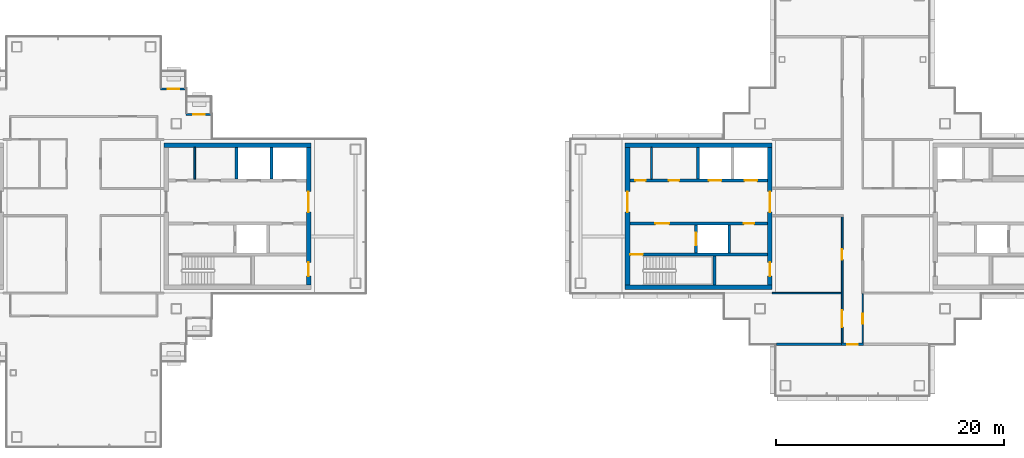
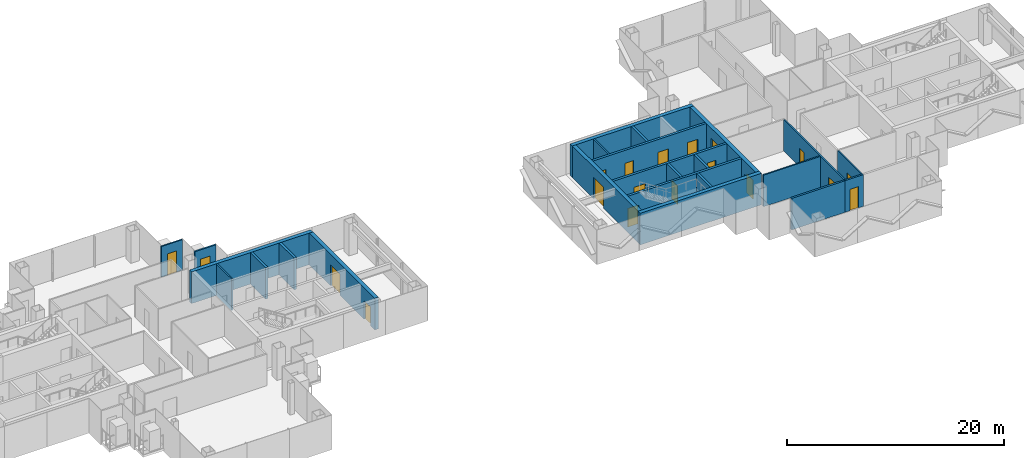
# One storey, part 11 of 17: 24 walls, 19 doors, 19 openings.
"""IFC4 building model written with IfcOpenShell, lengths in metres."""

from ifc_helpers import new_model, si_unit, direction, frame, frame_2d, origin, place, context, subcontext, project, spatial, rectangle, extrude, material, layer, layer_set, type_object, element, fill, save


model = new_model("IFC4")

# Units and contexts
model_context = context("Model", 3, precision=1e-05, world=origin(), true_north=direction((0.0, 1.0)))
body_context = subcontext(model_context, "Body", "Model", "MODEL_VIEW")
ifc_project = project(units=[si_unit("LENGTHUNIT", "METRE"), si_unit("AREAUNIT", "SQUARE_METRE"), si_unit("VOLUMEUNIT", "CUBIC_METRE"), si_unit("PLANEANGLEUNIT", "RADIAN"), si_unit("MASSUNIT", "GRAM", prefix="KILO")], contexts=[model_context])

# Site, building, storey
site_placement = place(None, origin())
site = spatial("IfcSite", under=ifc_project, at=site_placement, CompositionType="ELEMENT")
building_placement = place(site_placement, origin())
building = spatial("IfcBuilding", under=site, at=building_placement, Name="Shamsa Quay Exchange Towers", CompositionType="ELEMENT")
storey_placement = place(building_placement, frame((0.0, 0.0, 249.89990234375)))
storey = spatial("IfcBuildingStorey", under=building, at=storey_placement, Name="L60", CompositionType="ELEMENT", Elevation=249.89990234375)

# Wall, opening, door
ifc_material_1 = material(Name="Double-leaf gypsum board partition with acoustic insulation")
ifc_layer_1 = layer(ifc_material_1, 0.199951171875)
ifc_layer_set_1 = layer_set([ifc_layer_1], Name="Acoustic partition 200 mm EI 60")
wall_type_1 = type_object("IfcWallType", Name="Acoustic partition 200 mm EI 60", PredefinedType="PARTITIONING", material=ifc_layer_set_1)
wall_1_placement = place(storey_placement, frame((34.712890625, -11.25, 0.0), z_axis=(0.0, 0.0, 1.0), x_axis=(-1.0, 0.0, 0.0)))
wall_1 = element("IfcWall", 1, at=wall_1_placement, inside=storey, type_object=wall_type_1, Name="Partition T2-R27-W12", PredefinedType="PARTITIONING", context=body_context, shape_type="SweptSolid", body=[
    extrude(rectangle(XDim=1.938232421875, YDim=0.199951171875, at=frame_2d((0.96923828125, 0.0))), origin(), (0.0, 0.0, 1.0), 3.550048828125),
])
opening_1_placement = place(wall_1_placement, frame((0.512939453125, 0.0, 0.0)))
opening_1 = element("IfcOpeningElement", 2, at=opening_1_placement, cuts=wall_1, Name="Opening T2-R27-D07", PredefinedType="OPENING", context=body_context, shape_type="SweptSolid", body=[
    extrude(rectangle(XDim=0.89990234375, YDim=2.39990234375, at=frame_2d((0.449951171875, 1.199951171875))), frame((0.0, 0.10986328125, 0.0), z_axis=(0.0, -1.0, 0.0), x_axis=(1.0, 0.0, 0.0)), (0.0, 0.0, 1.0), 0.219970703125),
])
ifc_material_2 = material(Name="Timber door leaf in a metal frame", Category="wood")
door_type_1 = type_object("IfcDoorType", Name="Door 900x2400 FD30S", OperationType="NOTDEFINED", PredefinedType="DOOR", material=ifc_material_2)
door_1_placement = place(opening_1_placement, origin())
door_1 = element("IfcDoor", 3, at=door_1_placement, inside=storey, type_object=door_type_1, Name="Door T2-R27-D07", OperationType="SINGLE_SWING_RIGHT", OverallHeight=2.39990234375, OverallWidth=0.89990234375, PredefinedType="DOOR", context=body_context, shape_type="SweptSolid", body=[
    extrude(rectangle(XDim=0.89990234375, YDim=2.39990234375, at=frame_2d((0.449951171875, 1.199951171875))), frame((0.0, 0.02490234375, 0.0), z_axis=(0.0, -1.0, 0.0), x_axis=(1.0, 0.0, 0.0)), (0.0, 0.0, 1.0), 0.050048828125),
])
fill(opening_1, door_1)

# Wall
wall_2_placement = place(storey_placement, frame((27.094970703125, -11.25, 0.0)))
element("IfcWall", 4, at=wall_2_placement, inside=storey, type_object=wall_type_1, Name="Partition T2-R27-W21", PredefinedType="PARTITIONING", context=body_context, shape_type="SweptSolid", body=[
    extrude(rectangle(XDim=5.82958984375, YDim=0.199951171875, at=frame_2d((2.914794921875, 0.0))), origin(), (0.0, 0.0, 1.0), 3.550048828125),
])

# Wall, opening, door
ifc_material_3 = material(Name="Aluminium EN AW-6063 T6, black anodised, with black enamelled glass infill", Category="aluminium")
ifc_layer_2 = layer(ifc_material_3, 0.14990234375)
ifc_layer_set_2 = layer_set([ifc_layer_2], Name="BALCONY DOOR BAY WALL 150")
wall_type_2 = type_object("IfcWallType", Name="BALCONY DOOR BAY WALL 150", PredefinedType="SOLIDWALL", material=ifc_layer_set_2)
wall_3_placement = place(storey_placement, frame((-24.75, 8.925048828125, 0.0)))
wall_3 = element("IfcWall", 5, at=wall_3_placement, inside=storey, type_object=wall_type_2, Name="Door bay T1-PKEN L60", PredefinedType="SOLIDWALL", context=body_context, shape_type="SweptSolid", body=[
    extrude(rectangle(XDim=2.25, YDim=0.14990234375, at=frame_2d((1.125, 0.0))), origin(), (0.0, 0.0, 1.0), 3.4501953125),
])
opening_2_placement = place(wall_3_placement, frame((0.625, 0.0, 0.0)))
opening_2 = element("IfcOpeningElement", 6, at=opening_2_placement, cuts=wall_3, Name="Opening XD401", PredefinedType="OPENING", context=body_context, shape_type="SweptSolid", body=[
    extrude(rectangle(XDim=1.0, YDim=2.39990234375, at=frame_2d((0.5, 1.199951171875))), frame((0.0, 0.0849609375, 0.0), z_axis=(0.0, -1.0, 0.0), x_axis=(1.0, 0.0, 0.0)), (0.0, 0.0, 1.0), 0.169921875),
])
ifc_material_4 = material(Name="Aluminium EN AW-6063 T6, black anodised, with laminated glass leaf", Category="aluminium")
door_type_2 = type_object("IfcDoorType", Name="BALCONY DOOR 1000x2400", OperationType="SINGLE_SWING_LEFT", PredefinedType="DOOR", material=ifc_material_4)
door_2_placement = place(opening_2_placement, origin())
door_2 = element("IfcDoor", 7, at=door_2_placement, inside=storey, type_object=door_type_2, Name="Balcony door T1-PKEN L60", OperationType="SINGLE_SWING_RIGHT", OverallHeight=2.39990234375, OverallWidth=1.0, PredefinedType="DOOR", context=body_context, shape_type="SweptSolid", body=[
    extrude(rectangle(XDim=1.0, YDim=2.39990234375, at=frame_2d((0.5, 1.199951171875))), frame((0.0, 0.02490234375, 0.0), z_axis=(0.0, -1.0, 0.0), x_axis=(1.0, 0.0, 0.0)), (0.0, 0.0, 1.0), 0.050048828125),
])
fill(opening_2, door_2)

wall_4_placement = place(storey_placement, frame((-27.0, 11.175048828125, 0.0)))
wall_4 = element("IfcWall", 8, at=wall_4_placement, inside=storey, type_object=wall_type_2, Name="Door bay T1-PKEN L60", PredefinedType="SOLIDWALL", context=body_context, shape_type="SweptSolid", body=[
    extrude(rectangle(XDim=2.25, YDim=0.14990234375, at=frame_2d((1.125, 0.0))), origin(), (0.0, 0.0, 1.0), 3.4501953125),
])
opening_3_placement = place(wall_4_placement, frame((0.625, 0.0, 0.0)))
opening_3 = element("IfcOpeningElement", 9, at=opening_3_placement, cuts=wall_4, Name="Opening XD402", PredefinedType="OPENING", context=body_context, shape_type="SweptSolid", body=[
    extrude(rectangle(XDim=1.0, YDim=2.39990234375, at=frame_2d((0.5, 1.199951171875))), frame((0.0, 0.0849609375, 0.0), z_axis=(0.0, -1.0, 0.0), x_axis=(1.0, 0.0, 0.0)), (0.0, 0.0, 1.0), 0.169921875),
])
door_3_placement = place(opening_3_placement, origin())
door_3 = element("IfcDoor", 10, at=door_3_placement, inside=storey, type_object=door_type_2, Name="Balcony door T1-PKEN L60", OperationType="SINGLE_SWING_LEFT", OverallHeight=2.39990234375, OverallWidth=1.0, PredefinedType="DOOR", context=body_context, shape_type="SweptSolid", body=[
    extrude(rectangle(XDim=1.0, YDim=2.39990234375, at=frame_2d((0.5, 1.199951171875))), frame((0.0, 0.02490234375, 0.0), z_axis=(0.0, -1.0, 0.0), x_axis=(1.0, 0.0, 0.0)), (0.0, 0.0, 1.0), 0.050048828125),
])
fill(opening_3, door_3)

# Wall
ifc_material_5 = material(Name="Concrete C60/75", Category="concrete")
ifc_layer_3 = layer(ifc_material_5, 0.39990234375)
ifc_layer_set_3 = layer_set([ifc_layer_3], Name="CORE WALL 400 C60/75")
wall_type_3 = type_object("IfcWallType", Name="CORE WALL 400 C60/75", PredefinedType="SHEAR", material=ifc_layer_set_3)
wall_5_placement = place(storey_placement, frame((-26.699951171875, 6.25, 0.0)))
element("IfcWall", 11, at=wall_5_placement, inside=storey, type_object=wall_type_3, Name="Core wall T1A-R27-PN", PredefinedType="SHEAR", context=body_context, shape_type="SweptSolid", body=[
    extrude(rectangle(XDim=12.89990234375, YDim=0.39990234375, at=frame_2d((6.449951171875, 0.0))), origin(), (0.0, 0.0, 1.0), 3.550048828125),
])

# Wall, openings, doors
wall_6_placement = place(storey_placement, frame((-14.0, 6.050048828125, 0.0), z_axis=(0.0, 0.0, 1.0), x_axis=(0.0, -1.0, 0.0)))
wall_6 = element("IfcWall", 12, at=wall_6_placement, inside=storey, type_object=wall_type_3, Name="Core wall T1A-R27-PB", PredefinedType="SHEAR", context=body_context, shape_type="SweptSolid", body=[
    extrude(rectangle(XDim=12.10009765625, YDim=0.39990234375, at=frame_2d((6.050048828125, 0.0))), origin(), (0.0, 0.0, 1.0), 3.550048828125),
])
opening_4_placement = place(wall_6_placement, frame((10.10009765625, 0.0, 0.0)))
opening_4 = element("IfcOpeningElement", 13, at=opening_4_placement, cuts=wall_6, Name="Opening T1A-R27-RD02", PredefinedType="OPENING", context=body_context, shape_type="SweptSolid", body=[
    extrude(rectangle(XDim=1.199951171875, YDim=2.10009765625, at=frame_2d((0.60009765625, 1.050048828125))), frame((0.0, 0.2099609375, 0.0), z_axis=(0.0, -1.0, 0.0), x_axis=(1.0, 0.0, 0.0)), (0.0, 0.0, 1.0), 0.419921875),
])
opening_5_placement = place(wall_6_placement, frame((3.89990234375, 0.0, 0.0)))
opening_5 = element("IfcOpeningElement", 14, at=opening_5_placement, cuts=wall_6, Name="Opening T1A-R27-LBD03", PredefinedType="OPENING", context=body_context, shape_type="SweptSolid", body=[
    extrude(rectangle(XDim=1.800048828125, YDim=2.39990234375, at=frame_2d((0.89990234375, 1.199951171875))), frame((0.0, 0.2099609375, 0.0), z_axis=(0.0, -1.0, 0.0), x_axis=(1.0, 0.0, 0.0)), (0.0, 0.0, 1.0), 0.419921875),
])
ifc_material_6 = material(Name="Steel, fire rated", Category="steel")
door_type_3 = type_object("IfcDoorType", Name="LIFT LOBBY DOOR PAIR 1800", OperationType="DOUBLE_DOOR_SINGLE_SWING", PredefinedType="DOOR", material=ifc_material_6)
door_4_placement = place(opening_5_placement, origin())
door_4 = element("IfcDoor", 15, at=door_4_placement, inside=storey, type_object=door_type_3, Name="T1A-R27-LBD03", OperationType="DOUBLE_DOOR_SINGLE_SWING", OverallHeight=2.39990234375, OverallWidth=1.800048828125, PredefinedType="DOOR", context=body_context, shape_type="SweptSolid", body=[
    extrude(rectangle(XDim=1.800048828125, YDim=2.39990234375, at=frame_2d((0.89990234375, 1.199951171875))), frame((0.0, 0.02490234375, 0.0), z_axis=(0.0, -1.0, 0.0), x_axis=(1.0, 0.0, 0.0)), (0.0, 0.0, 1.0), 0.050048828125),
])
fill(opening_5, door_4)
door_type_4 = type_object("IfcDoorType", Name="RISER ACCESS DOOR 1200", OperationType="SINGLE_SWING_LEFT", PredefinedType="DOOR", material=ifc_material_6)
door_5_placement = place(opening_4_placement, origin())
door_5 = element("IfcDoor", 16, at=door_5_placement, inside=storey, type_object=door_type_4, Name="T1A-R27-RD02", OperationType="SINGLE_SWING_RIGHT", OverallHeight=2.10009765625, OverallWidth=1.199951171875, PredefinedType="DOOR", context=body_context, shape_type="SweptSolid", body=[
    extrude(rectangle(XDim=1.199951171875, YDim=2.10009765625, at=frame_2d((0.60009765625, 1.050048828125))), frame((0.0, 0.02490234375, 0.0), z_axis=(0.0, -1.0, 0.0), x_axis=(1.0, 0.0, 0.0)), (0.0, 0.0, 1.0), 0.050048828125),
])
fill(opening_4, door_5)

# Walls
for number, where, name in (
    (17, (13.800048828125, -6.25, 0.0), "Core wall T2A-R27-PS"),
    (18, (13.800048828125, 6.25, 0.0), "Core wall T2A-R27-PN"),
):
    element("IfcWall", number, at=place(storey_placement, frame(where)), inside=storey, type_object=wall_type_3, Name=name, PredefinedType="SHEAR", context=body_context, shape_type="SweptSolid", body=[
        extrude(rectangle(XDim=12.89990234375, YDim=0.39990234375, at=frame_2d((6.449951171875, 0.0))), origin(), (0.0, 0.0, 1.0), 3.550048828125),
    ])

# Wall, opening, door
wall_7_placement = place(storey_placement, frame((14.0, 6.050048828125, 0.0), z_axis=(0.0, 0.0, 1.0), x_axis=(0.0, -1.0, 0.0)))
wall_7 = element("IfcWall", 19, at=wall_7_placement, inside=storey, type_object=wall_type_3, Name="Core wall T2A-R27-PF", PredefinedType="SHEAR", context=body_context, shape_type="SweptSolid", body=[
    extrude(rectangle(XDim=12.10009765625, YDim=0.39990234375, at=frame_2d((6.050048828125, 0.0))), origin(), (0.0, 0.0, 1.0), 3.550048828125),
])
opening_6_placement = place(wall_7_placement, frame((3.89990234375, 0.0, 0.0)))
opening_6 = element("IfcOpeningElement", 20, at=opening_6_placement, cuts=wall_7, Name="Opening T2A-R27-LBD01", PredefinedType="OPENING", context=body_context, shape_type="SweptSolid", body=[
    extrude(rectangle(XDim=1.800048828125, YDim=2.39990234375, at=frame_2d((0.89990234375, 1.199951171875))), frame((0.0, 0.2099609375, 0.0), z_axis=(0.0, -1.0, 0.0), x_axis=(1.0, 0.0, 0.0)), (0.0, 0.0, 1.0), 0.419921875),
])
door_6_placement = place(opening_6_placement, origin())
door_6 = element("IfcDoor", 21, at=door_6_placement, inside=storey, type_object=door_type_3, Name="T2A-R27-LBD01", OperationType="DOUBLE_DOOR_SINGLE_SWING", OverallHeight=2.39990234375, OverallWidth=1.800048828125, PredefinedType="DOOR", context=body_context, shape_type="SweptSolid", body=[
    extrude(rectangle(XDim=1.800048828125, YDim=2.39990234375, at=frame_2d((0.89990234375, 1.199951171875))), frame((0.0, 0.02490234375, 0.0), z_axis=(0.0, -1.0, 0.0), x_axis=(1.0, 0.0, 0.0)), (0.0, 0.0, 1.0), 0.050048828125),
])
fill(opening_6, door_6)

# Wall, openings, doors
wall_8_placement = place(storey_placement, frame((26.5, 6.050048828125, 0.0), z_axis=(0.0, 0.0, 1.0), x_axis=(0.0, -1.0, 0.0)))
wall_8 = element("IfcWall", 22, at=wall_8_placement, inside=storey, type_object=wall_type_3, Name="Core wall T2A-R27-PB", PredefinedType="SHEAR", context=body_context, shape_type="SweptSolid", body=[
    extrude(rectangle(XDim=12.10009765625, YDim=0.39990234375, at=frame_2d((6.050048828125, 0.0))), origin(), (0.0, 0.0, 1.0), 3.550048828125),
])
opening_7_placement = place(wall_8_placement, frame((10.10009765625, 0.0, 0.0)))
opening_7 = element("IfcOpeningElement", 23, at=opening_7_placement, cuts=wall_8, Name="Opening T2A-R27-RD02", PredefinedType="OPENING", context=body_context, shape_type="SweptSolid", body=[
    extrude(rectangle(XDim=1.199951171875, YDim=2.10009765625, at=frame_2d((0.60009765625, 1.050048828125))), frame((0.0, 0.2099609375, 0.0), z_axis=(0.0, -1.0, 0.0), x_axis=(1.0, 0.0, 0.0)), (0.0, 0.0, 1.0), 0.419921875),
])
opening_8_placement = place(wall_8_placement, frame((3.89990234375, 0.0, 0.0)))
opening_8 = element("IfcOpeningElement", 24, at=opening_8_placement, cuts=wall_8, Name="Opening T2A-R27-LBD03", PredefinedType="OPENING", context=body_context, shape_type="SweptSolid", body=[
    extrude(rectangle(XDim=1.800048828125, YDim=2.39990234375, at=frame_2d((0.89990234375, 1.199951171875))), frame((0.0, 0.2099609375, 0.0), z_axis=(0.0, -1.0, 0.0), x_axis=(1.0, 0.0, 0.0)), (0.0, 0.0, 1.0), 0.419921875),
])
door_7_placement = place(opening_8_placement, origin())
door_7 = element("IfcDoor", 25, at=door_7_placement, inside=storey, type_object=door_type_3, Name="T2A-R27-LBD03", OperationType="DOUBLE_DOOR_SINGLE_SWING", OverallHeight=2.39990234375, OverallWidth=1.800048828125, PredefinedType="DOOR", context=body_context, shape_type="SweptSolid", body=[
    extrude(rectangle(XDim=1.800048828125, YDim=2.39990234375, at=frame_2d((0.89990234375, 1.199951171875))), frame((0.0, 0.02490234375, 0.0), z_axis=(0.0, -1.0, 0.0), x_axis=(1.0, 0.0, 0.0)), (0.0, 0.0, 1.0), 0.050048828125),
])
fill(opening_8, door_7)
door_8_placement = place(opening_7_placement, origin())
door_8 = element("IfcDoor", 26, at=door_8_placement, inside=storey, type_object=door_type_4, Name="T2A-R27-RD02", OperationType="SINGLE_SWING_RIGHT", OverallHeight=2.10009765625, OverallWidth=1.199951171875, PredefinedType="DOOR", context=body_context, shape_type="SweptSolid", body=[
    extrude(rectangle(XDim=1.199951171875, YDim=2.10009765625, at=frame_2d((0.60009765625, 1.050048828125))), frame((0.0, 0.02490234375, 0.0), z_axis=(0.0, -1.0, 0.0), x_axis=(1.0, 0.0, 0.0)), (0.0, 0.0, 1.0), 0.050048828125),
])
fill(opening_7, door_8)

# Walls
ifc_material_7 = material(Name="Gypsum board on steel studs, EI 60", Category="steel")
ifc_layer_4 = layer(ifc_material_7, 0.14990234375)
ifc_layer_set_4 = layer_set([ifc_layer_4], Name="FIRE PARTITION 150")
wall_type_4 = type_object("IfcWallType", Name="FIRE PARTITION 150", PredefinedType="PARTITIONING", material=ifc_layer_set_4)
for number, where, z_axis, x_axis, name in (
    (27, (-24.0, 3.25, 0.0), (0.0, 0.0, 1.0), (0.0, 1.0, 0.0), "Partition T1A-R27-FC0"),
    (28, (16.10009765625, 3.25, 0.0), (0.0, 0.0, 1.0), (0.0, 1.0, 0.0), "Partition T2A-R27-FC0"),
):
    element("IfcWall", number, at=place(storey_placement, frame(where, z_axis=z_axis, x_axis=x_axis)), inside=storey, type_object=wall_type_4, Name=name, PredefinedType="PARTITIONING", context=body_context, shape_type="SweptSolid", body=[
        extrude(rectangle(XDim=2.800048828125, YDim=0.14990234375, at=frame_2d((1.39990234375, 0.0))), origin(), (0.0, 0.0, 1.0), 3.550048828125),
    ])

# Wall, opening, door
ifc_material_8 = material(Name="Laminated fire-resisting glass in a metal frame", Category="glass")
ifc_layer_5 = layer(ifc_material_8, 0.125)
ifc_layer_set_5 = layer_set([ifc_layer_5], Name="Glazed partition 125 mm EI 60")
wall_type_5 = type_object("IfcWallType", Name="Glazed partition 125 mm EI 60", PredefinedType="PARTITIONING", material=ifc_layer_set_5)
wall_9_placement = place(storey_placement, frame((34.650390625, -6.824951171875, 0.0), z_axis=(0.0, 0.0, 1.0), x_axis=(0.0, -1.0, 0.0)))
wall_9 = element("IfcWall", 29, at=wall_9_placement, inside=storey, type_object=wall_type_5, Name="Partition T2-R27-W11", PredefinedType="PARTITIONING", context=body_context, shape_type="SweptSolid", body=[
    extrude(rectangle(XDim=4.324951171875, YDim=0.125, at=frame_2d((2.16259765625, 0.0))), origin(), (0.0, 0.0, 1.0), 3.550048828125),
])
opening_9_placement = place(wall_9_placement, frame((1.72509765625, 0.0, 0.0)))
opening_9 = element("IfcOpeningElement", 30, at=opening_9_placement, cuts=wall_9, Name="Opening T2-R27-D03", PredefinedType="OPENING", context=body_context, shape_type="SweptSolid", body=[
    extrude(rectangle(XDim=0.89990234375, YDim=2.10009765625, at=frame_2d((0.449951171875, 1.050048828125))), frame((0.0, 0.072509765625, 0.0), z_axis=(0.0, -1.0, 0.0), x_axis=(1.0, 0.0, 0.0)), (0.0, 0.0, 1.0), 0.14501953125),
])
door_type_5 = type_object("IfcDoorType", Name="Door 900x2100 FD30S", OperationType="NOTDEFINED", PredefinedType="DOOR", material=ifc_material_2)
door_9_placement = place(opening_9_placement, origin())
door_9 = element("IfcDoor", 31, at=door_9_placement, inside=storey, type_object=door_type_5, Name="Door T2-R27-D03", OperationType="SINGLE_SWING_LEFT", OverallHeight=2.10009765625, OverallWidth=0.89990234375, PredefinedType="DOOR", context=body_context, shape_type="SweptSolid", body=[
    extrude(rectangle(XDim=0.89990234375, YDim=2.10009765625, at=frame_2d((0.449951171875, 1.050048828125))), frame((0.0, 0.02490234375, 0.0), z_axis=(0.0, -1.0, 0.0), x_axis=(1.0, 0.0, 0.0)), (0.0, 0.0, 1.0), 0.050048828125),
])
fill(opening_9, door_9)

# Wall, openings, doors
ifc_material_9 = material(Name="Gypsum board partition on metal studs")
ifc_layer_6 = layer(ifc_material_9, 0.14990234375)
ifc_layer_set_6 = layer_set([ifc_layer_6], Name="Partition 150 mm EI 60")
wall_type_6 = type_object("IfcWallType", Name="Partition 150 mm EI 60", PredefinedType="PARTITIONING", material=ifc_layer_set_6)
wall_10_placement = place(storey_placement, frame((32.849609375, -11.14990234375, 0.0), z_axis=(0.0, 0.0, 1.0), x_axis=(0.0, 1.0, 0.0)))
wall_10 = element("IfcWall", 32, at=wall_10_placement, inside=storey, type_object=wall_type_6, Name="Partition T2-R27-W02", PredefinedType="PARTITIONING", context=body_context, shape_type="SweptSolid", body=[
    extrude(rectangle(XDim=11.124755859375, YDim=0.14990234375, at=frame_2d((5.5625, 0.0))), origin(), (0.0, 0.0, 1.0), 3.550048828125),
])
opening_10_placement = place(wall_10_placement, frame((7.349853515625, 0.0, 0.0)))
opening_10 = element("IfcOpeningElement", 33, at=opening_10_placement, cuts=wall_10, Name="Opening T2-R27-D08", PredefinedType="OPENING", context=body_context, shape_type="SweptSolid", body=[
    extrude(rectangle(XDim=0.89990234375, YDim=2.10009765625, at=frame_2d((0.449951171875, 1.050048828125))), frame((0.0, 0.0849609375, 0.0), z_axis=(0.0, -1.0, 0.0), x_axis=(1.0, 0.0, 0.0)), (0.0, 0.0, 1.0), 0.169921875),
])
opening_11_placement = place(wall_10_placement, frame((1.39990234375, 0.0, 0.0)))
opening_11 = element("IfcOpeningElement", 34, at=opening_11_placement, cuts=wall_10, Name="Opening T2-R27-D09", PredefinedType="OPENING", context=body_context, shape_type="SweptSolid", body=[
    extrude(rectangle(XDim=1.5, YDim=2.10009765625, at=frame_2d((0.75, 1.050048828125))), frame((0.0, 0.0849609375, 0.0), z_axis=(0.0, -1.0, 0.0), x_axis=(1.0, 0.0, 0.0)), (0.0, 0.0, 1.0), 0.169921875),
])
door_type_6 = type_object("IfcDoorType", Name="Door 1500x2100 FD30S pair", OperationType="NOTDEFINED", PredefinedType="DOOR", material=ifc_material_2)
door_10_placement = place(opening_11_placement, origin())
door_10 = element("IfcDoor", 35, at=door_10_placement, inside=storey, type_object=door_type_6, Name="Door T2-R27-D09", OperationType="DOUBLE_DOOR_SINGLE_SWING", OverallHeight=2.10009765625, OverallWidth=1.5, PredefinedType="DOOR", context=body_context, shape_type="SweptSolid", body=[
    extrude(rectangle(XDim=1.5, YDim=2.10009765625, at=frame_2d((0.75, 1.050048828125))), frame((0.0, 0.02490234375, 0.0), z_axis=(0.0, -1.0, 0.0), x_axis=(1.0, 0.0, 0.0)), (0.0, 0.0, 1.0), 0.050048828125),
])
fill(opening_11, door_10)
door_11_placement = place(opening_10_placement, origin())
door_11 = element("IfcDoor", 36, at=door_11_placement, inside=storey, type_object=door_type_5, Name="Door T2-R27-D08", OperationType="SINGLE_SWING_RIGHT", OverallHeight=2.10009765625, OverallWidth=0.89990234375, PredefinedType="DOOR", context=body_context, shape_type="SweptSolid", body=[
    extrude(rectangle(XDim=0.89990234375, YDim=2.10009765625, at=frame_2d((0.449951171875, 1.050048828125))), frame((0.0, 0.02490234375, 0.0), z_axis=(0.0, -1.0, 0.0), x_axis=(1.0, 0.0, 0.0)), (0.0, 0.0, 1.0), 0.050048828125),
])
fill(opening_10, door_11)

# Walls
wall_11_placement = place(storey_placement, frame((26.699951171875, -6.75, 0.0)))
element("IfcWall", 37, at=wall_11_placement, inside=storey, type_object=wall_type_6, Name="Partition T2-R27-W16", PredefinedType="PARTITIONING", context=body_context, shape_type="SweptSolid", body=[
    extrude(rectangle(XDim=6.07470703125, YDim=0.14990234375, at=frame_2d((3.037353515625, 0.0))), origin(), (0.0, 0.0, 1.0), 3.550048828125),
])
ifc_material_10 = material(Name="Concrete C50/60", Category="concrete")
ifc_layer_7 = layer(ifc_material_10, 0.25)
ifc_layer_set_7 = layer_set([ifc_layer_7], Name="SHAFT WALL 250 C50/60")
wall_type_7 = type_object("IfcWallType", Name="SHAFT WALL 250 C50/60", PredefinedType="SHEAR", material=ifc_layer_set_7)
for number, where, z_axis, x_axis, name in (
    (38, (-20.324951171875, 3.25, 0.0), (0.0, 0.0, 1.0), (0.0, 1.0, 0.0), "Shaft wall T1A-R27-D1"),
    (39, (-17.27490234375, 3.25, 0.0), (0.0, 0.0, 1.0), (0.0, 1.0, 0.0), "Shaft wall T1A-R27-D2"),
):
    element("IfcWall", number, at=place(storey_placement, frame(where, z_axis=z_axis, x_axis=x_axis)), inside=storey, type_object=wall_type_7, Name=name, PredefinedType="SHEAR", context=body_context, shape_type="SweptSolid", body=[
        extrude(rectangle(XDim=2.800048828125, YDim=0.25, at=frame_2d((1.39990234375, 0.0))), origin(), (0.0, 0.0, 1.0), 3.550048828125),
    ])

# Wall, opening, door
wall_12_placement = place(storey_placement, frame((26.300048828125, -3.375, 0.0), z_axis=(0.0, 0.0, 1.0), x_axis=(-1.0, 0.0, 0.0)))
wall_12 = element("IfcWall", 40, at=wall_12_placement, inside=storey, type_object=wall_type_7, Name="Shaft wall T2A-R27-STL", PredefinedType="SHEAR", context=body_context, shape_type="SweptSolid", body=[
    extrude(rectangle(XDim=12.10009765625, YDim=0.25, at=frame_2d((6.050048828125, 0.0))), origin(), (0.0, 0.0, 1.0), 3.550048828125),
])
opening_12_placement = place(wall_12_placement, frame((10.949951171875, 0.0, 0.0)))
opening_12 = element("IfcOpeningElement", 41, at=opening_12_placement, cuts=wall_12, Name="Opening T2A-R27-SD04", PredefinedType="OPENING", context=body_context, shape_type="SweptSolid", body=[
    extrude(rectangle(XDim=1.10009765625, YDim=2.10009765625, at=frame_2d((0.550048828125, 1.050048828125))), frame((0.0, 0.135009765625, 0.0), z_axis=(0.0, -1.0, 0.0), x_axis=(1.0, 0.0, 0.0)), (0.0, 0.0, 1.0), 0.27001953125),
])
door_type_7 = type_object("IfcDoorType", Name="STAIR DOOR 1100", OperationType="SINGLE_SWING_LEFT", PredefinedType="DOOR", material=ifc_material_6)
door_12_placement = place(opening_12_placement, origin())
door_12 = element("IfcDoor", 42, at=door_12_placement, inside=storey, type_object=door_type_7, Name="T2A-R27-SD04", OperationType="SINGLE_SWING_RIGHT", OverallHeight=2.10009765625, OverallWidth=1.10009765625, PredefinedType="DOOR", context=body_context, shape_type="SweptSolid", body=[
    extrude(rectangle(XDim=1.10009765625, YDim=2.10009765625, at=frame_2d((0.550048828125, 1.050048828125))), frame((0.0, 0.02490234375, 0.0), z_axis=(0.0, -1.0, 0.0), x_axis=(1.0, 0.0, 0.0)), (0.0, 0.0, 1.0), 0.050048828125),
])
fill(opening_12, door_12)

# Wall
wall_13_placement = place(storey_placement, frame((21.625, -6.050048828125, 0.0), z_axis=(0.0, 0.0, 1.0), x_axis=(0.0, 1.0, 0.0)))
element("IfcWall", 43, at=wall_13_placement, inside=storey, type_object=wall_type_7, Name="Shaft wall T2A-R27-STF", PredefinedType="SHEAR", context=body_context, shape_type="SweptSolid", body=[
    extrude(rectangle(XDim=2.550048828125, YDim=0.25, at=frame_2d((1.27490234375, 0.0))), origin(), (0.0, 0.0, 1.0), 3.550048828125),
])

# Wall, openings, doors
wall_14_placement = place(storey_placement, frame((26.300048828125, -0.625, 0.0), z_axis=(0.0, 0.0, 1.0), x_axis=(-1.0, 0.0, 0.0)))
wall_14 = element("IfcWall", 44, at=wall_14_placement, inside=storey, type_object=wall_type_7, Name="Shaft wall T2A-R27-B", PredefinedType="SHEAR", context=body_context, shape_type="SweptSolid", body=[
    extrude(rectangle(XDim=12.10009765625, YDim=0.25, at=frame_2d((6.050048828125, 0.0))), origin(), (0.0, 0.0, 1.0), 3.550048828125),
])
opening_13_placement = place(wall_14_placement, frame((8.64990234375, 0.0, 0.0)))
opening_13 = element("IfcOpeningElement", 45, at=opening_13_placement, cuts=wall_14, Name="Opening T2A-R27-FD05", PredefinedType="OPENING", context=body_context, shape_type="SweptSolid", body=[
    extrude(rectangle(XDim=1.199951171875, YDim=2.10009765625, at=frame_2d((0.60009765625, 1.050048828125))), frame((0.0, 0.135009765625, 0.0), z_axis=(0.0, -1.0, 0.0), x_axis=(1.0, 0.0, 0.0)), (0.0, 0.0, 1.0), 0.27001953125),
])
opening_14_placement = place(wall_14_placement, frame((1.175048828125, 0.0, 0.0)))
opening_14 = element("IfcOpeningElement", 46, at=opening_14_placement, cuts=wall_14, Name="Opening T2A-R27-SV06", PredefinedType="OPENING", context=body_context, shape_type="SweptSolid", body=[
    extrude(rectangle(XDim=0.89990234375, YDim=2.10009765625, at=frame_2d((0.449951171875, 1.050048828125))), frame((0.0, 0.135009765625, 0.0), z_axis=(0.0, -1.0, 0.0), x_axis=(1.0, 0.0, 0.0)), (0.0, 0.0, 1.0), 0.27001953125),
])
door_type_8 = type_object("IfcDoorType", Name="FIRE SERVICE LOBBY DOOR 1200", OperationType="SINGLE_SWING_LEFT", PredefinedType="DOOR", material=ifc_material_6)
door_13_placement = place(opening_13_placement, origin())
door_13 = element("IfcDoor", 47, at=door_13_placement, inside=storey, type_object=door_type_8, Name="T2A-R27-FD05", OperationType="SINGLE_SWING_RIGHT", OverallHeight=2.10009765625, OverallWidth=1.199951171875, PredefinedType="DOOR", context=body_context, shape_type="SweptSolid", body=[
    extrude(rectangle(XDim=1.199951171875, YDim=2.10009765625, at=frame_2d((0.60009765625, 1.050048828125))), frame((0.0, 0.02490234375, 0.0), z_axis=(0.0, -1.0, 0.0), x_axis=(1.0, 0.0, 0.0)), (0.0, 0.0, 1.0), 0.050048828125),
])
fill(opening_13, door_13)
door_type_9 = type_object("IfcDoorType", Name="SERVICE ROOM DOOR 900", OperationType="SINGLE_SWING_LEFT", PredefinedType="DOOR", material=ifc_material_6)
door_14_placement = place(opening_14_placement, origin())
door_14 = element("IfcDoor", 48, at=door_14_placement, inside=storey, type_object=door_type_9, Name="T2A-R27-SV06", OperationType="SINGLE_SWING_LEFT", OverallHeight=2.10009765625, OverallWidth=0.89990234375, PredefinedType="DOOR", context=body_context, shape_type="SweptSolid", body=[
    extrude(rectangle(XDim=0.89990234375, YDim=2.10009765625, at=frame_2d((0.449951171875, 1.050048828125))), frame((0.0, 0.02490234375, 0.0), z_axis=(0.0, -1.0, 0.0), x_axis=(1.0, 0.0, 0.0)), (0.0, 0.0, 1.0), 0.050048828125),
])
fill(opening_14, door_14)

# Wall, opening, door
wall_15_placement = place(storey_placement, frame((20.02490234375, -3.25, 0.0), z_axis=(0.0, 0.0, 1.0), x_axis=(0.0, 1.0, 0.0)))
wall_15 = element("IfcWall", 49, at=wall_15_placement, inside=storey, type_object=wall_type_7, Name="Shaft wall T2A-R27-FFF", PredefinedType="SHEAR", context=body_context, shape_type="SweptSolid", body=[
    extrude(rectangle(XDim=2.5, YDim=0.25, at=frame_2d((1.25, 0.0))), origin(), (0.0, 0.0, 1.0), 3.550048828125),
])
opening_15_placement = place(wall_15_placement, frame((0.699951171875, 0.0, 0.0)))
opening_15 = element("IfcOpeningElement", 50, at=opening_15_placement, cuts=wall_15, Name="Opening T2A-R27-LDF07", PredefinedType="OPENING", context=body_context, shape_type="SweptSolid", body=[
    extrude(rectangle(XDim=1.10009765625, YDim=2.10009765625, at=frame_2d((0.550048828125, 1.050048828125))), frame((0.0, 0.135009765625, 0.0), z_axis=(0.0, -1.0, 0.0), x_axis=(1.0, 0.0, 0.0)), (0.0, 0.0, 1.0), 0.27001953125),
])
door_type_10 = type_object("IfcDoorType", Name="FIRE SERVICE LANDING DOOR 1100", OperationType="SLIDING_TO_LEFT", PredefinedType="DOOR", material=ifc_material_6)
door_15_placement = place(opening_15_placement, origin())
door_15 = element("IfcDoor", 51, at=door_15_placement, inside=storey, type_object=door_type_10, Name="T2A-R27-LDF07", OperationType="SLIDING_TO_LEFT", OverallHeight=2.10009765625, OverallWidth=1.10009765625, PredefinedType="DOOR", context=body_context, shape_type="SweptSolid", body=[
    extrude(rectangle(XDim=1.10009765625, YDim=2.10009765625, at=frame_2d((0.550048828125, 1.050048828125))), frame((0.0, 0.02490234375, 0.0), z_axis=(0.0, -1.0, 0.0), x_axis=(1.0, 0.0, 0.0)), (0.0, 0.0, 1.0), 0.050048828125),
])
fill(opening_15, door_15)

# Wall
wall_16_placement = place(storey_placement, frame((22.925048828125, -3.25, 0.0), z_axis=(0.0, 0.0, 1.0), x_axis=(0.0, 1.0, 0.0)))
element("IfcWall", 52, at=wall_16_placement, inside=storey, type_object=wall_type_7, Name="Shaft wall T2A-R27-FFB", PredefinedType="SHEAR", context=body_context, shape_type="SweptSolid", body=[
    extrude(rectangle(XDim=2.5, YDim=0.25, at=frame_2d((1.25, 0.0))), origin(), (0.0, 0.0, 1.0), 3.550048828125),
])

# Wall, openings, doors
wall_17_placement = place(storey_placement, frame((14.199951171875, 3.125, 0.0)))
wall_17 = element("IfcWall", 53, at=wall_17_placement, inside=storey, type_object=wall_type_7, Name="Shaft wall T2A-R27-N", PredefinedType="SHEAR", context=body_context, shape_type="SweptSolid", body=[
    extrude(rectangle(XDim=12.10009765625, YDim=0.25, at=frame_2d((6.050048828125, 0.0))), origin(), (0.0, 0.0, 1.0), 3.550048828125),
])
opening_16_placement = place(wall_17_placement, frame((6.949951171875, 0.0, 0.0)))
opening_16 = element("IfcOpeningElement", 54, at=opening_16_placement, cuts=wall_17, Name="Opening T2A-R27-LD08", PredefinedType="OPENING", context=body_context, shape_type="SweptSolid", body=[
    extrude(rectangle(XDim=1.10009765625, YDim=2.10009765625, at=frame_2d((0.550048828125, 1.050048828125))), frame((0.0, 0.135009765625, 0.0), z_axis=(0.0, -1.0, 0.0), x_axis=(1.0, 0.0, 0.0)), (0.0, 0.0, 1.0), 0.27001953125),
])
opening_17_placement = place(wall_17_placement, frame((10.074951171875, 0.0, 0.0)))
opening_17 = element("IfcOpeningElement", 55, at=opening_17_placement, cuts=wall_17, Name="Opening T2A-R27-LD09", PredefinedType="OPENING", context=body_context, shape_type="SweptSolid", body=[
    extrude(rectangle(XDim=1.10009765625, YDim=2.10009765625, at=frame_2d((0.550048828125, 1.050048828125))), frame((0.0, 0.135009765625, 0.0), z_axis=(0.0, -1.0, 0.0), x_axis=(1.0, 0.0, 0.0)), (0.0, 0.0, 1.0), 0.27001953125),
])
opening_18_placement = place(wall_17_placement, frame((0.5, 0.0, 0.0)))
opening_18 = element("IfcOpeningElement", 56, at=opening_18_placement, cuts=wall_17, Name="Opening T2A-R27-SV10", PredefinedType="OPENING", context=body_context, shape_type="SweptSolid", body=[
    extrude(rectangle(XDim=0.89990234375, YDim=2.10009765625, at=frame_2d((0.449951171875, 1.050048828125))), frame((0.0, 0.135009765625, 0.0), z_axis=(0.0, -1.0, 0.0), x_axis=(1.0, 0.0, 0.0)), (0.0, 0.0, 1.0), 0.27001953125),
])
opening_19_placement = place(wall_17_placement, frame((3.425048828125, 0.0, 0.0)))
opening_19 = element("IfcOpeningElement", 57, at=opening_19_placement, cuts=wall_17, Name="Opening T2A-R27-SV11", PredefinedType="OPENING", context=body_context, shape_type="SweptSolid", body=[
    extrude(rectangle(XDim=0.89990234375, YDim=2.10009765625, at=frame_2d((0.449951171875, 1.050048828125))), frame((0.0, 0.135009765625, 0.0), z_axis=(0.0, -1.0, 0.0), x_axis=(1.0, 0.0, 0.0)), (0.0, 0.0, 1.0), 0.27001953125),
])
door_type_11 = type_object("IfcDoorType", Name="LANDING DOOR 1100", OperationType="SLIDING_TO_LEFT", PredefinedType="DOOR", material=ifc_material_6)
door_16_placement = place(opening_16_placement, origin())
door_16 = element("IfcDoor", 58, at=door_16_placement, inside=storey, type_object=door_type_11, Name="T2A-R27-LD08", OperationType="SLIDING_TO_LEFT", OverallHeight=2.10009765625, OverallWidth=1.10009765625, PredefinedType="DOOR", context=body_context, shape_type="SweptSolid", body=[
    extrude(rectangle(XDim=1.10009765625, YDim=2.10009765625, at=frame_2d((0.550048828125, 1.050048828125))), frame((0.0, 0.02490234375, 0.0), z_axis=(0.0, -1.0, 0.0), x_axis=(1.0, 0.0, 0.0)), (0.0, 0.0, 1.0), 0.050048828125),
])
fill(opening_16, door_16)
door_17_placement = place(opening_17_placement, origin())
door_17 = element("IfcDoor", 59, at=door_17_placement, inside=storey, type_object=door_type_11, Name="T2A-R27-LD09", OperationType="SLIDING_TO_LEFT", OverallHeight=2.10009765625, OverallWidth=1.10009765625, PredefinedType="DOOR", context=body_context, shape_type="SweptSolid", body=[
    extrude(rectangle(XDim=1.10009765625, YDim=2.10009765625, at=frame_2d((0.550048828125, 1.050048828125))), frame((0.0, 0.02490234375, 0.0), z_axis=(0.0, -1.0, 0.0), x_axis=(1.0, 0.0, 0.0)), (0.0, 0.0, 1.0), 0.050048828125),
])
fill(opening_17, door_17)
door_18_placement = place(opening_18_placement, origin())
door_18 = element("IfcDoor", 60, at=door_18_placement, inside=storey, type_object=door_type_9, Name="T2A-R27-SV10", OperationType="SINGLE_SWING_LEFT", OverallHeight=2.10009765625, OverallWidth=0.89990234375, PredefinedType="DOOR", context=body_context, shape_type="SweptSolid", body=[
    extrude(rectangle(XDim=0.89990234375, YDim=2.10009765625, at=frame_2d((0.449951171875, 1.050048828125))), frame((0.0, 0.02490234375, 0.0), z_axis=(0.0, -1.0, 0.0), x_axis=(1.0, 0.0, 0.0)), (0.0, 0.0, 1.0), 0.050048828125),
])
fill(opening_18, door_18)
door_19_placement = place(opening_19_placement, origin())
door_19 = element("IfcDoor", 61, at=door_19_placement, inside=storey, type_object=door_type_9, Name="T2A-R27-SV11", OperationType="SINGLE_SWING_LEFT", OverallHeight=2.10009765625, OverallWidth=0.89990234375, PredefinedType="DOOR", context=body_context, shape_type="SweptSolid", body=[
    extrude(rectangle(XDim=0.89990234375, YDim=2.10009765625, at=frame_2d((0.449951171875, 1.050048828125))), frame((0.0, 0.02490234375, 0.0), z_axis=(0.0, -1.0, 0.0), x_axis=(1.0, 0.0, 0.0)), (0.0, 0.0, 1.0), 0.050048828125),
])
fill(opening_19, door_19)

# Wall
wall_18_placement = place(storey_placement, frame((20.175048828125, 3.25, 0.0), z_axis=(0.0, 0.0, 1.0), x_axis=(0.0, 1.0, 0.0)))
element("IfcWall", 62, at=wall_18_placement, inside=storey, type_object=wall_type_7, Name="Shaft wall T2A-R27-D1", PredefinedType="SHEAR", context=body_context, shape_type="SweptSolid", body=[
    extrude(rectangle(XDim=2.800048828125, YDim=0.25, at=frame_2d((1.39990234375, 0.0))), origin(), (0.0, 0.0, 1.0), 3.550048828125),
])

save(model, "model.ifc")
